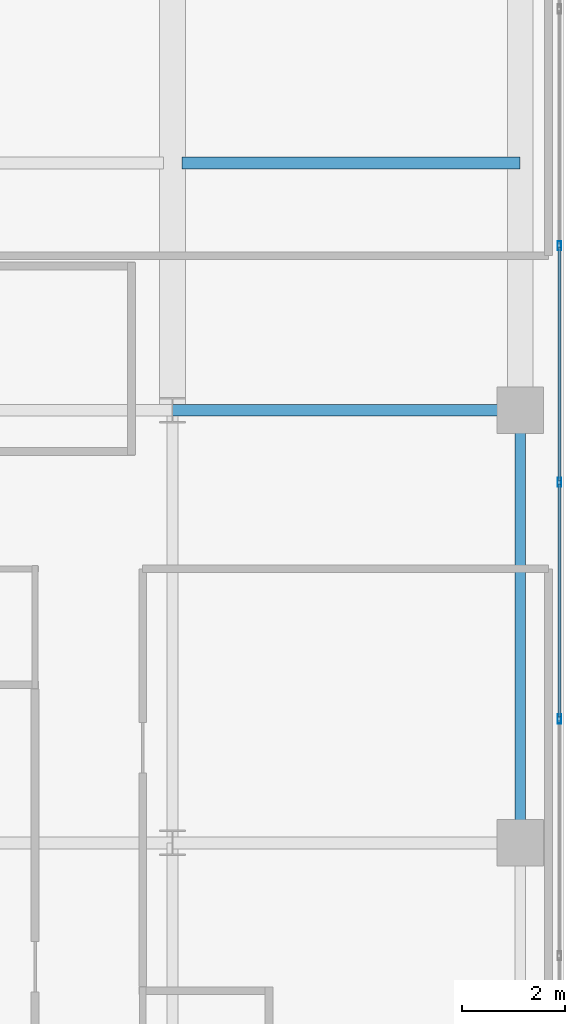
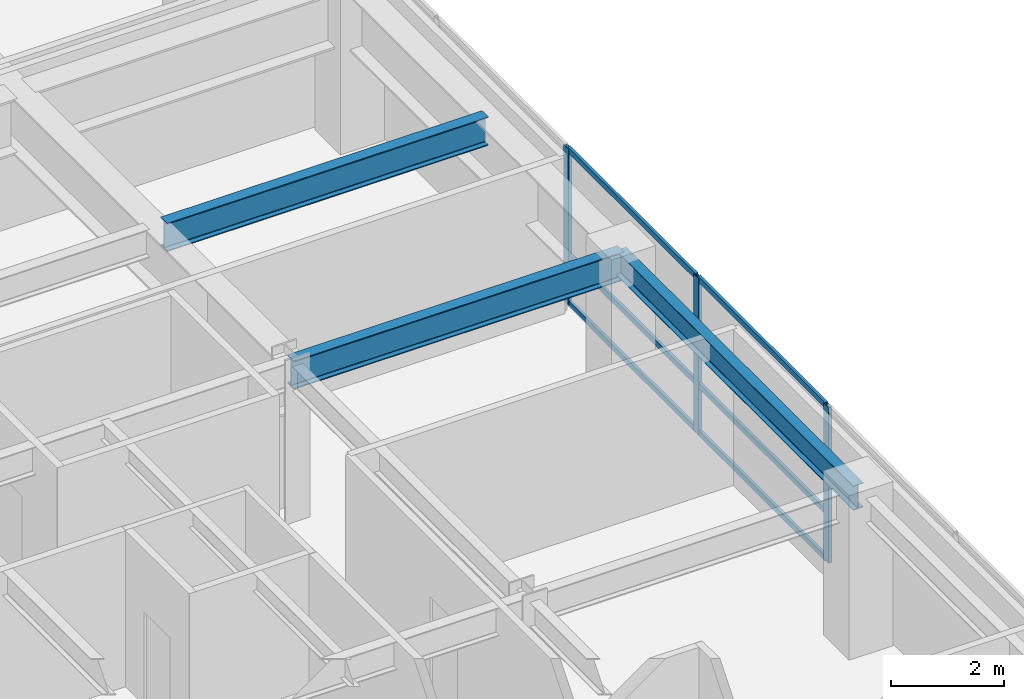
# One storey, part 15 of 31: 9 members, 3 beams, 1 element without a shape of its own.
"""IFC4 building model written with IfcOpenShell, lengths in metres."""

import ifcopenshell
import ifcopenshell.guid

model = None  # the IFC model being written
_history = None  # IfcOwnerHistory: only IFC2X3 demands one
_inside = {}  # id of a spatial element -> (the spatial element, [elements in it])
_under = {}  # id of a project, library or spatial element -> (it, [spatial elements below it])
_declared = {}  # id of a project -> (the project, [libraries it declares])
_typed = {}  # id of a type object -> (the type object, [elements of that type])
_made_of = {}  # id of a material, layer set ... -> (it, [elements and type objects made of it])


def new_model(schema):
    """Start an empty IFC model of exactly this schema.

    Asked for "IFC4X3", IfcOpenShell would pick the latest addendum, in which some entities
    have other attributes; the version numbers below select the first issue.
    IFC2X3 requires an IfcOwnerHistory on every rooted entity: one is made here for all.
    """
    global model, _history
    if schema == "IFC4X3":
        model = ifcopenshell.file(schema_version=(4, 3, 0, 0))
    else:
        model = ifcopenshell.file(schema=schema)
    _inside.clear()
    _under.clear()
    _declared.clear()
    _typed.clear()
    _made_of.clear()
    _history = None
    if model.schema == "IFC2X3":
        org = make("IfcOrganization", Name="unknown")
        user = make(
            "IfcPersonAndOrganization",
            ThePerson=make("IfcPerson", FamilyName="unknown"),
            TheOrganization=org,
        )
        app = make(
            "IfcApplication",
            ApplicationDeveloper=org,
            Version="unknown",
            ApplicationFullName="unknown",
            ApplicationIdentifier="unknown",
        )
        _history = make(
            "IfcOwnerHistory",
            OwningUser=user,
            OwningApplication=app,
            ChangeAction="ADDED",
            CreationDate=0,
        )
    return model


def make(cls, **values):
    """One entity of the class cls with the attributes given. An attribute that is None is left unset."""
    return model.create_entity(
        cls, **{name: value for name, value in values.items() if value is not None}
    )


def rooted(cls, **values):
    """An entity with a GlobalId (a new one), such as an element, a storey or a relation."""
    return make(cls, GlobalId=ifcopenshell.guid.new(), OwnerHistory=_history, **values)


def si_unit(unit_type, name, prefix=None):
    """IfcSIUnit, for example si_unit("LENGTHUNIT", "METRE", prefix="MILLI")."""
    return make("IfcSIUnit", UnitType=unit_type, Prefix=prefix, Name=name)


def assignment(units):
    """IfcUnitAssignment: the units of a project."""
    return None if units is None else make("IfcUnitAssignment", Units=units)


def point(xyz):
    """IfcCartesianPoint."""
    return None if xyz is None else make("IfcCartesianPoint", Coordinates=xyz)


def direction(xyz):
    """IfcDirection."""
    return None if xyz is None else make("IfcDirection", DirectionRatios=xyz)


def frame(location, z_axis=None, x_axis=None):
    """IfcAxis2Placement3D, a coordinate frame: its origin and axes. An axis left out is left unset."""
    return make(
        "IfcAxis2Placement3D",
        Location=point(location),
        Axis=direction(z_axis),
        RefDirection=direction(x_axis),
    )


def frame_2d(location, x_axis=None):
    """IfcAxis2Placement2D, a coordinate frame in the plane: its origin and x axis."""
    return make(
        "IfcAxis2Placement2D", Location=point(location), RefDirection=direction(x_axis)
    )


def origin():
    """The frame at (0, 0, 0) with its axes left unset."""
    return frame((0.0, 0.0, 0.0))


def origin_2d():
    """The frame at (0, 0) in the plane with its x axis left unset."""
    return frame_2d((0.0, 0.0))


def place(relative_to, where):
    """IfcLocalPlacement: puts the frame where relative to a parent placement (None: the world)."""
    return make(
        "IfcLocalPlacement", PlacementRelTo=relative_to, RelativePlacement=where
    )


def context(
    kind, dimensions, precision=None, world=None, true_north=None, identifier=None
):
    """IfcGeometricRepresentationContext, for example the 3D "Model" context."""
    return make(
        "IfcGeometricRepresentationContext",
        ContextIdentifier=identifier,
        ContextType=kind,
        CoordinateSpaceDimension=dimensions,
        Precision=precision,
        WorldCoordinateSystem=world,
        TrueNorth=true_north,
    )


def subcontext(parent, identifier, kind, view, scale=None):
    """IfcGeometricRepresentationSubContext, for example "Body" below "Model"."""
    return make(
        "IfcGeometricRepresentationSubContext",
        ContextIdentifier=identifier,
        ContextType=kind,
        ParentContext=parent,
        TargetScale=scale,
        TargetView=view,
    )


def project(units=None, contexts=None):
    """IfcProject with its units and contexts."""
    return rooted(
        "IfcProject",
        Name="project",
        RepresentationContexts=contexts,
        UnitsInContext=assignment(units),
    )


def spatial(cls, under=None, at=None, **own):
    """A site, building, storey or space (cls), placed at a placement, below another one or the project."""
    s = rooted(cls, ObjectPlacement=at, **own)
    if under is not None:
        _under.setdefault(under.id(), (under, []))[1].append(s)
    return s


def profile(cls, at=None, kind="AREA", **sizes):
    """A parametric profile (cls). Its sizes go by their IFC names, for example OverallWidth=200.0."""
    return make(cls, ProfileType=kind, Position=at, **sizes)


def hollow_rectangle(**sizes):
    """IfcRectangleHollowProfileDef."""
    return profile("IfcRectangleHollowProfileDef", **sizes)


def i_section(**sizes):
    """IfcIShapeProfileDef."""
    return profile("IfcIShapeProfileDef", **sizes)


def extrude(swept, where, along, depth):
    """IfcExtrudedAreaSolid: the profile swept, set in the frame where, extruded along a direction by depth."""
    return make(
        "IfcExtrudedAreaSolid",
        SweptArea=swept,
        Position=where,
        ExtrudedDirection=direction(along),
        Depth=depth,
    )


def shape(context_of_items, identifier, shape_type, items):
    """IfcShapeRepresentation: the items that make up one representation, for example the "Body"."""
    return make(
        "IfcShapeRepresentation",
        ContextOfItems=context_of_items,
        RepresentationIdentifier=identifier,
        RepresentationType=shape_type,
        Items=items,
    )


def source(mapping_origin, context_of_items, identifier, shape_type, items):
    """IfcRepresentationMap: a shape defined once, which mapped items show again and again."""
    return make(
        "IfcRepresentationMap",
        MappingOrigin=mapping_origin,
        MappedRepresentation=shape(context_of_items, identifier, shape_type, items),
    )


def transform(
    local_origin,
    x_axis=None,
    y_axis=None,
    z_axis=None,
    scale=None,
    scale2=None,
    scale3=None,
    uniform=True,
):
    """IfcCartesianTransformationOperator3D, or its non-uniform kind. x_axis, y_axis, z_axis: its Axis1, 2, 3."""
    if uniform:
        return make(
            "IfcCartesianTransformationOperator3D",
            Axis1=direction(x_axis),
            Axis2=direction(y_axis),
            LocalOrigin=point(local_origin),
            Scale=scale,
            Axis3=direction(z_axis),
        )
    return make(
        "IfcCartesianTransformationOperator3DnonUniform",
        Axis1=direction(x_axis),
        Axis2=direction(y_axis),
        LocalOrigin=point(local_origin),
        Scale=scale,
        Axis3=direction(z_axis),
        Scale2=scale2,
        Scale3=scale3,
    )


def mapped(mapping_source, mapping_target):
    """IfcMappedItem: shows the shape of a source again, moved by a transform."""
    return make(
        "IfcMappedItem", MappingSource=mapping_source, MappingTarget=mapping_target
    )


def material(Name=None, Category=None):
    """IfcMaterial."""
    return make("IfcMaterial", Name=Name, Category=Category)


def layer(
    of_material, thickness, ventilated=None, Name=None, Category=None, Priority=None
):
    """IfcMaterialLayer: one layer of a wall or slab, of a material (None: an air gap)."""
    return make(
        "IfcMaterialLayer",
        Material=of_material,
        LayerThickness=thickness,
        IsVentilated=ventilated,
        Name=Name,
        Category=Category,
        Priority=Priority,
    )


def layer_set(layers, Name=None):
    """IfcMaterialLayerSet."""
    return make("IfcMaterialLayerSet", MaterialLayers=layers, LayerSetName=Name)


def material_profile(
    of_material, cross_section, Name=None, Category=None, Priority=None
):
    """IfcMaterialProfile: a cross section and its material."""
    return make(
        "IfcMaterialProfile",
        Name=Name,
        Material=of_material,
        Profile=cross_section,
        Priority=Priority,
        Category=Category,
    )


def profile_set(profiles, Name=None, composite=None):
    """IfcMaterialProfileSet."""
    return make(
        "IfcMaterialProfileSet",
        Name=Name,
        MaterialProfiles=profiles,
        CompositeProfile=composite,
    )


def made_of(thing, what):
    """Note that an element or type object is made of a material, layer set ...; save() writes the relation."""
    if what is not None:
        _made_of.setdefault(what.id(), (what, []))[1].append(thing)
    return thing


def type_object(cls, material=None, **own):
    """A type object (cls), such as IfcWallType, which elements share."""
    return made_of(rooted(cls, **own), material)


def type_shapes(of_type, sources):
    """Give a type object the sources (RepresentationMaps) that its elements show as mapped items."""
    of_type.RepresentationMaps = sources


def element(
    cls,
    number,
    at=None,
    inside=None,
    cuts=None,
    type_object=None,
    material=None,
    context=None,
    identifier="Body",
    shape_type=None,
    held_by="IfcProductDefinitionShape",
    body=None,
    shapes=None,
    **own,
):
    """One element of the class cls, such as IfcWall. Its Tag is "e" and its number.

    at: its placement. inside: the storey or other place that contains it. cuts: it is an
    opening in that element (IfcRelVoidsElement). A single representation is given by context,
    identifier, shape_type and body (its items); several are given by shapes. held_by: the class
    of the entity that holds the representations. save() writes the other relations.
    """
    e = rooted(cls, Tag="e%d" % number, ObjectPlacement=at, **own)
    if body is not None:
        shapes = [shape(context, identifier, shape_type, body)]
    if shapes is not None:
        e.Representation = make(held_by, Representations=shapes)
    if inside is not None:
        _inside.setdefault(inside.id(), (inside, []))[1].append(e)
    if cuts is not None:
        rooted(
            "IfcRelVoidsElement", RelatingBuildingElement=cuts, RelatedOpeningElement=e
        )
    if type_object is not None:
        _typed.setdefault(type_object.id(), (type_object, []))[1].append(e)
    return made_of(e, material)


def aggregate(whole, parts):
    """IfcRelAggregates: a whole, such as a stair, and the parts it consists of."""
    return rooted("IfcRelAggregates", RelatingObject=whole, RelatedObjects=parts)


def save(model, path):
    """Write the relations noted so far, then the file.

    IfcRelAggregates (storeys below a building ...), IfcRelContainedInSpatialStructure (elements
    in a storey), IfcRelDefinesByType, IfcRelAssociatesMaterial and IfcRelDeclares: one each for
    every whole, place, type object, material and project.
    """
    for whole, parts in _under.values():
        aggregate(whole, parts)
    for where, things in _inside.values():
        rooted(
            "IfcRelContainedInSpatialStructure",
            RelatedElements=things,
            RelatingStructure=where,
        )
    for kind, things in _typed.values():
        rooted("IfcRelDefinesByType", RelatedObjects=things, RelatingType=kind)
    for what, things in _made_of.values():
        rooted("IfcRelAssociatesMaterial", RelatedObjects=things, RelatingMaterial=what)
    for by, libraries in _declared.values():
        rooted("IfcRelDeclares", RelatingContext=by, RelatedDefinitions=libraries)
    model.write(path)


model = new_model("IFC4")

# Units and contexts
model_context = context("Model", 3, precision=1e-05, world=origin(), true_north=direction((0.0, 1.0)))
body_context = subcontext(model_context, "Body", "Model", "MODEL_VIEW")
ifc_project = project(units=[si_unit("LENGTHUNIT", "METRE"), si_unit("AREAUNIT", "SQUARE_METRE"), si_unit("VOLUMEUNIT", "CUBIC_METRE"), si_unit("PLANEANGLEUNIT", "RADIAN"), si_unit("MASSUNIT", "GRAM", prefix="KILO")], contexts=[model_context])

# Site, building, storey
site_placement = place(None, origin())
site = spatial("IfcSite", under=ifc_project, at=site_placement, CompositionType="ELEMENT")
building_placement = place(site_placement, origin())
building = spatial("IfcBuilding", under=site, at=building_placement, Name="Tolvann Quenvar Hotel", CompositionType="ELEMENT")
storey_placement = place(building_placement, frame((0.0, 0.0, 125.75)))
storey = spatial("IfcBuildingStorey", under=building, at=storey_placement, Name="L32", CompositionType="ELEMENT", Elevation=125.75)

# Beams
ifc_material_1 = material(Name="Steel Grade 350", Category="steel")
ifc_material_profile_1 = material_profile(ifc_material_1, i_section(OverallWidth=0.22900390625, OverallDepth=0.612060546875, WebThickness=0.011962890625, FlangeThickness=0.01953125, FilletRadius=0.013916015625, at=origin_2d()), Name="610UB125")
ifc_profile_set_1 = profile_set([ifc_material_profile_1], Name="Steel Grade 350")
beam_type_1 = type_object("IfcBeamType", Name="BM_GIRD_610UB125", PredefinedType="BEAM", material=ifc_profile_set_1)
shared_shape_1 = source(origin(), body_context, "Body", "SweptSolid", [
    extrude(i_section(OverallWidth=0.22900390625, OverallDepth=0.612060546875, WebThickness=0.011962890625, FlangeThickness=0.01953125, FilletRadius=0.013916015625, at=origin_2d()), origin(), (0.0, 0.0, 1.0), 6.75),
])
beam_1_placement = place(storey_placement, frame((49.39990234375, 24.39990234375, 3.06396484375), z_axis=(1.0, 0.0, 0.0), x_axis=(0.0, 1.0, 0.0)))
element("IfcBeam", 1, at=beam_1_placement, inside=storey, type_object=beam_type_1, Name="BM-L32-EW-5-I5-J5", PredefinedType="BEAM", context=body_context, shape_type="MappedRepresentation", body=[
    mapped(shared_shape_1, transform((0.0, 0.0, 0.0), x_axis=(1.0, 0.0, 0.0), y_axis=(0.0, 1.0, 0.0), z_axis=(0.0, 0.0, 1.0), scale=1.0)),
])
ifc_material_profile_2 = material_profile(ifc_material_1, i_section(OverallWidth=0.208984375, OverallDepth=0.528076171875, WebThickness=0.009521484375, FlangeThickness=0.01318359375, FilletRadius=0.013916015625, at=origin_2d()), Name="530UB82")
ifc_profile_set_2 = profile_set([ifc_material_profile_2], Name="Steel Grade 350")
beam_type_2 = type_object("IfcBeamType", Name="BM_SPAND_530UB82", PredefinedType="SPANDREL", material=ifc_profile_set_2)
shared_shape_2 = source(origin(), body_context, "Body", "SweptSolid", [
    extrude(i_section(OverallWidth=0.208984375, OverallDepth=0.528076171875, WebThickness=0.009521484375, FlangeThickness=0.01318359375, FilletRadius=0.013916015625, at=origin_2d()), origin(), (0.0, 0.0, 1.0), 8.39990234375),
])
type_shapes(beam_type_2, [shared_shape_2])
beam_2_placement = place(storey_placement, frame((56.14990234375, 16.0, 3.10595703125), z_axis=(0.0, 1.0, 0.0), x_axis=(-1.0, 0.0, 0.0)))
element("IfcBeam", 2, at=beam_2_placement, inside=storey, type_object=beam_type_2, Name="BM-L32-NS-J4-J5", PredefinedType="SPANDREL", context=body_context, shape_type="MappedRepresentation", body=[
    mapped(shared_shape_2, transform((0.0, 0.0, 0.0), x_axis=(1.0, 0.0, 0.0), y_axis=(0.0, 1.0, 0.0), z_axis=(0.0, 0.0, 1.0), scale=1.0)),
])
shared_shape_3 = source(origin(), body_context, "Body", "SweptSolid", [
    extrude(i_section(OverallWidth=0.22900390625, OverallDepth=0.612060546875, WebThickness=0.011962890625, FlangeThickness=0.01953125, FilletRadius=0.013916015625, at=origin_2d()), origin(), (0.0, 0.0, 1.0), 6.56982421875),
])
type_shapes(beam_type_1, [shared_shape_1, shared_shape_3])
beam_3_placement = place(storey_placement, frame((49.580078125, 29.199951171875, 3.06396484375), z_axis=(1.0, 0.0, 0.0), x_axis=(0.0, 1.0, 0.0)))
element("IfcBeam", 3, at=beam_3_placement, inside=storey, type_object=beam_type_1, Name="BM-L32-EW-IJ29", PredefinedType="BEAM", context=body_context, shape_type="MappedRepresentation", body=[
    mapped(shared_shape_3, transform((0.0, 0.0, 0.0), x_axis=(1.0, 0.0, 0.0), y_axis=(0.0, 1.0, 0.0), z_axis=(0.0, 0.0, 1.0), scale=1.0)),
])

# Curtain wall, members
ifc_material_2 = material(Name="Thermally broken anodised architectural aluminium 6063-T6 and laminated low-E glass", Category="aluminium")
ifc_layer = layer(ifc_material_2, 0.179931640625)
ifc_layer_set = layer_set([ifc_layer], Name="Thermally broken anodised architectural aluminium 6063-T6 and laminated low-E glass")
curtain_wall_type = type_object("IfcCurtainWallType", Name="CW_SYS_BAND_04", PredefinedType="USERDEFINED", material=ifc_layer_set)
curtain_wall_placement = place(storey_placement, origin())
curtain_wall = element("IfcCurtainWall", 4, at=curtain_wall_placement, inside=storey, type_object=curtain_wall_type, Name="Curtain Wall CW-BAND-04 (CWR-L32-E13)", ObjectType="UNITISED CURTAIN WALL", PredefinedType="USERDEFINED")
ifc_material_3 = material(Name="Anodised architectural aluminium 6063-T6 framing", Category="aluminium")
ifc_material_profile_3 = material_profile(ifc_material_3, hollow_rectangle(XDim=0.070068359375, YDim=0.179931640625, WallThickness=0.00390625, at=origin_2d()), Name="180x70x4RHS")
ifc_profile_set_3 = profile_set([ifc_material_profile_3], Name="Anodised architectural aluminium 6063-T6 framing")
member_type_1 = type_object("IfcMemberType", Name="CW_MULL_180x70", PredefinedType="MULLION", material=ifc_profile_set_3)
shared_shape_4 = source(origin(), body_context, "Body", "SweptSolid", [
    extrude(hollow_rectangle(XDim=0.070068359375, YDim=0.179931640625, WallThickness=0.00390625, at=origin_2d()), origin(), (0.0, 0.0, 1.0), 3.3701171875),
])
type_shapes(member_type_1, [shared_shape_4])
member_1_placement = place(storey_placement, frame((56.909912109375, 18.404296875, 0.0), z_axis=(0.0, 0.0, 1.0), x_axis=(-1.0, 0.0, 0.0)))
member_1 = element("IfcMember", 5, at=member_1_placement, type_object=member_type_1, Name="CW-BAND-04 mullion 4", PredefinedType="MULLION", context=body_context, shape_type="MappedRepresentation", body=[
    mapped(shared_shape_4, transform((0.0, 0.0, 0.0), x_axis=(1.0, 0.0, 0.0), y_axis=(0.0, 1.0, 0.0), z_axis=(0.0, 0.0, 1.0), scale=1.0)),
])
member_2_placement = place(storey_placement, frame((56.909912109375, 23.0, 0.0), z_axis=(0.0, 0.0, 1.0), x_axis=(-1.0, 0.0, 0.0)))
member_2 = element("IfcMember", 6, at=member_2_placement, type_object=member_type_1, Name="CW-BAND-04 mullion 5", PredefinedType="MULLION", context=body_context, shape_type="MappedRepresentation", body=[
    mapped(shared_shape_4, transform((0.0, 0.0, 0.0), x_axis=(1.0, 0.0, 0.0), y_axis=(0.0, 1.0, 0.0), z_axis=(0.0, 0.0, 1.0), scale=1.0)),
])
member_3_placement = place(storey_placement, frame((56.909912109375, 27.595703125, 0.0), z_axis=(0.0, 0.0, 1.0), x_axis=(-1.0, 0.0, 0.0)))
member_3 = element("IfcMember", 7, at=member_3_placement, type_object=member_type_1, Name="CW-BAND-04 mullion 6", PredefinedType="MULLION", context=body_context, shape_type="MappedRepresentation", body=[
    mapped(shared_shape_4, transform((0.0, 0.0, 0.0), x_axis=(1.0, 0.0, 0.0), y_axis=(0.0, 1.0, 0.0), z_axis=(0.0, 0.0, 1.0), scale=1.0)),
])
ifc_material_profile_4 = material_profile(ifc_material_3, hollow_rectangle(XDim=0.06005859375, YDim=0.1201171875, WallThickness=0.00341796875, at=origin_2d()), Name="120x60x3.5RHS")
ifc_profile_set_4 = profile_set([ifc_material_profile_4], Name="Anodised architectural aluminium 6063-T6 framing")
member_type_2 = type_object("IfcMemberType", Name="CW_TRAN_120x60", PredefinedType="USERDEFINED", material=ifc_profile_set_4)
shared_shape_5 = source(origin(), body_context, "Body", "SweptSolid", [
    extrude(hollow_rectangle(XDim=0.06005859375, YDim=0.1201171875, WallThickness=0.00341796875, at=origin_2d()), origin(), (0.0, 0.0, 1.0), 4.52587890625),
])
type_shapes(member_type_2, [shared_shape_5])
member_4_placement = place(storey_placement, frame((56.909912109375, 18.439208984375, 0.030029296875), z_axis=(0.0, 1.0, 0.0), x_axis=(-1.0, 0.0, 0.0)))
member_4 = element("IfcMember", 8, at=member_4_placement, type_object=member_type_2, Name="CW-BAND-04 transom 4.1", ObjectType="TRANSOM", PredefinedType="USERDEFINED", context=body_context, shape_type="MappedRepresentation", body=[
    mapped(shared_shape_5, transform((0.0, 0.0, 0.0), x_axis=(1.0, 0.0, 0.0), y_axis=(0.0, 1.0, 0.0), z_axis=(0.0, 0.0, 1.0), scale=1.0)),
])
member_5_placement = place(storey_placement, frame((56.909912109375, 18.439208984375, 1.050048828125), z_axis=(0.0, 1.0, 0.0), x_axis=(-1.0, 0.0, 0.0)))
member_5 = element("IfcMember", 9, at=member_5_placement, type_object=member_type_2, Name="CW-BAND-04 transom 4.2", ObjectType="TRANSOM", PredefinedType="USERDEFINED", context=body_context, shape_type="MappedRepresentation", body=[
    mapped(shared_shape_5, transform((0.0, 0.0, 0.0), x_axis=(1.0, 0.0, 0.0), y_axis=(0.0, 1.0, 0.0), z_axis=(0.0, 0.0, 1.0), scale=1.0)),
])
member_6_placement = place(storey_placement, frame((56.909912109375, 18.439208984375, 3.340087890625), z_axis=(0.0, 1.0, 0.0), x_axis=(-1.0, 0.0, 0.0)))
member_6 = element("IfcMember", 10, at=member_6_placement, type_object=member_type_2, Name="CW-BAND-04 transom 4.3", ObjectType="TRANSOM", PredefinedType="USERDEFINED", context=body_context, shape_type="MappedRepresentation", body=[
    mapped(shared_shape_5, transform((0.0, 0.0, 0.0), x_axis=(1.0, 0.0, 0.0), y_axis=(0.0, 1.0, 0.0), z_axis=(0.0, 0.0, 1.0), scale=1.0)),
])
member_7_placement = place(storey_placement, frame((56.909912109375, 23.034912109375, 0.030029296875), z_axis=(0.0, 1.0, 0.0), x_axis=(-1.0, 0.0, 0.0)))
member_7 = element("IfcMember", 11, at=member_7_placement, type_object=member_type_2, Name="CW-BAND-04 transom 5.1", ObjectType="TRANSOM", PredefinedType="USERDEFINED", context=body_context, shape_type="MappedRepresentation", body=[
    mapped(shared_shape_5, transform((0.0, 0.0, 0.0), x_axis=(1.0, 0.0, 0.0), y_axis=(0.0, 1.0, 0.0), z_axis=(0.0, 0.0, 1.0), scale=1.0)),
])
member_8_placement = place(storey_placement, frame((56.909912109375, 23.034912109375, 1.050048828125), z_axis=(0.0, 1.0, 0.0), x_axis=(-1.0, 0.0, 0.0)))
member_8 = element("IfcMember", 12, at=member_8_placement, type_object=member_type_2, Name="CW-BAND-04 transom 5.2", ObjectType="TRANSOM", PredefinedType="USERDEFINED", context=body_context, shape_type="MappedRepresentation", body=[
    mapped(shared_shape_5, transform((0.0, 0.0, 0.0), x_axis=(1.0, 0.0, 0.0), y_axis=(0.0, 1.0, 0.0), z_axis=(0.0, 0.0, 1.0), scale=1.0)),
])
member_9_placement = place(storey_placement, frame((56.909912109375, 23.034912109375, 3.340087890625), z_axis=(0.0, 1.0, 0.0), x_axis=(-1.0, 0.0, 0.0)))
member_9 = element("IfcMember", 13, at=member_9_placement, type_object=member_type_2, Name="CW-BAND-04 transom 5.3", ObjectType="TRANSOM", PredefinedType="USERDEFINED", context=body_context, shape_type="MappedRepresentation", body=[
    mapped(shared_shape_5, transform((0.0, 0.0, 0.0), x_axis=(1.0, 0.0, 0.0), y_axis=(0.0, 1.0, 0.0), z_axis=(0.0, 0.0, 1.0), scale=1.0)),
])
aggregate(curtain_wall, [member_1, member_2, member_3, member_4, member_5, member_6, member_7, member_8, member_9])

save(model, "model.ifc")
